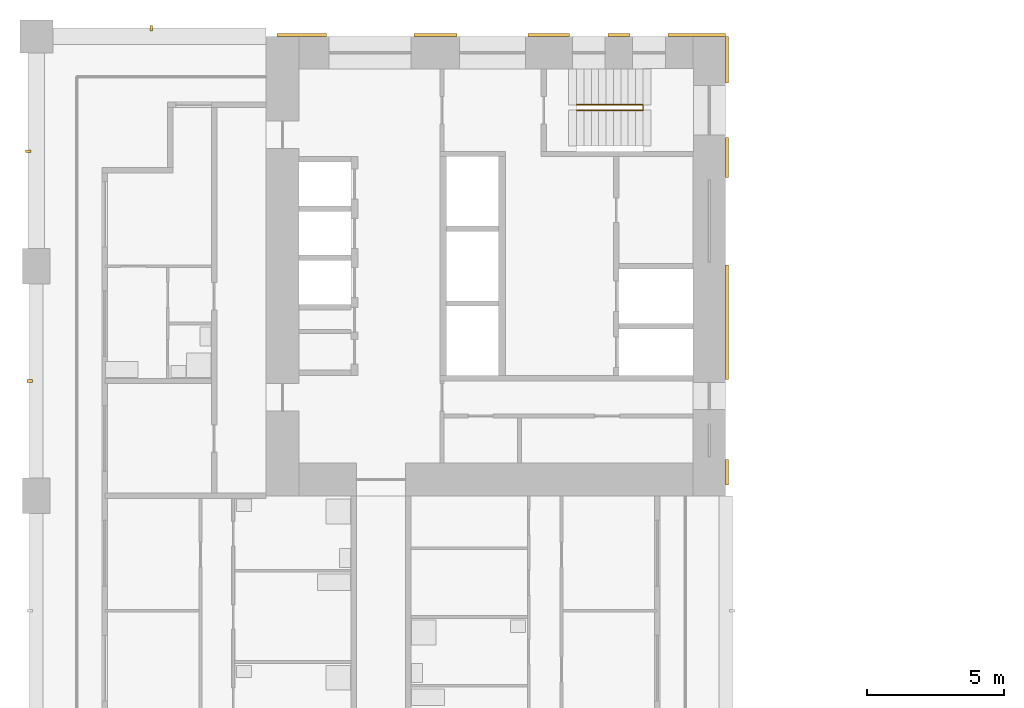
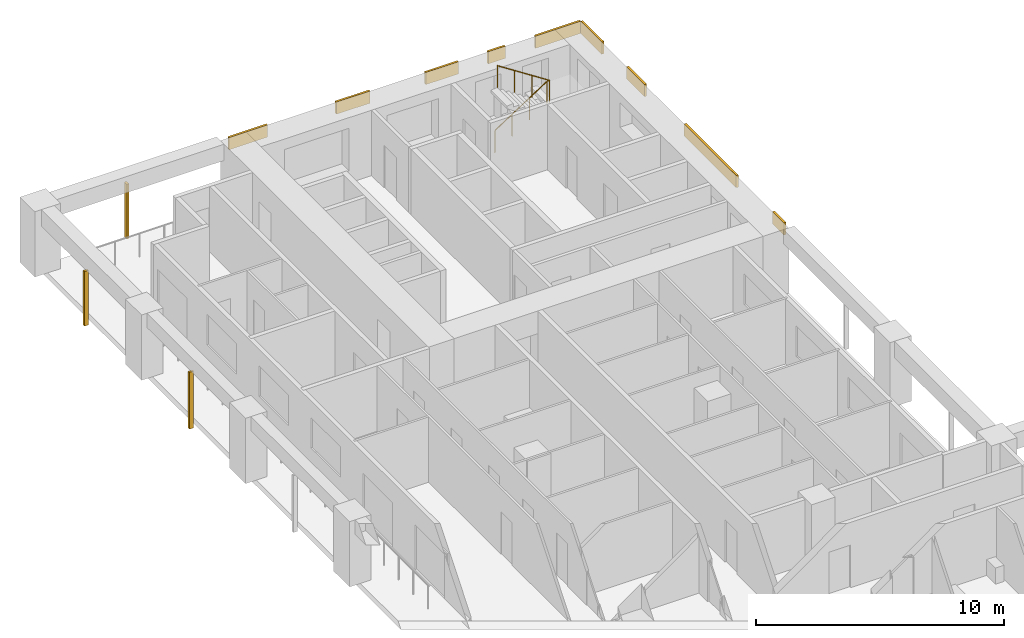
# One storey, part 14 of 16: 12 shading devices, 1 railing.
"""IFC4 building model written with IfcOpenShell, lengths in metres."""

from ifc_helpers import new_model, si_unit, direction, frame, origin, origin_2d, place, context, subcontext, project, spatial, rectangle, circle, extrude, material, layer, layer_set, material_profile, profile_set, type_object, element, save


model = new_model("IFC4")

# Units and contexts
model_context = context("Model", 3, precision=1e-05, world=origin(), true_north=direction((0.0, 1.0)))
body_context = subcontext(model_context, "Body", "Model", "MODEL_VIEW")
ifc_project = project(units=[si_unit("LENGTHUNIT", "METRE"), si_unit("AREAUNIT", "SQUARE_METRE"), si_unit("VOLUMEUNIT", "CUBIC_METRE"), si_unit("PLANEANGLEUNIT", "RADIAN"), si_unit("MASSUNIT", "GRAM", prefix="KILO")], contexts=[model_context])

# Site, building, storey
site_placement = place(None, origin())
site = spatial("IfcSite", under=ifc_project, at=site_placement, CompositionType="ELEMENT")
building_placement = place(site_placement, origin())
building = spatial("IfcBuilding", under=site, at=building_placement, Name="Vermilion Gate Residences", CompositionType="ELEMENT")
storey_placement = place(building_placement, frame((0.0, 0.0, 130.199951171875)))
storey = spatial("IfcBuildingStorey", under=building, at=storey_placement, Name="L33", CompositionType="ELEMENT", Elevation=130.199951171875)

# Railing
ifc_material_1 = material(Name="Steel S355", Category="steel")
railing_type = type_object("IfcRailingType", Name="STAIR GUARD 1100 STEEL", PredefinedType="GUARDRAIL", material=ifc_material_1)
railing_placement = place(storey_placement, frame((19.75, 56.300048828125, 0.175048828125)))
element("IfcRailing", 1, at=railing_placement, inside=storey, type_object=railing_type, Name="Stair well guard STB1-33", PredefinedType="GUARDRAIL", context=body_context, shape_type="SweptSolid", body=[
    extrude(circle(Radius=0.02392578125, at=origin_2d()), frame((0.0, 0.0, 1.076171875), z_axis=(0.839153699163, 0.0, 0.543894354798), x_axis=(0.0, 1.0, 0.0)), (0.0, 0.0, 1.0), 2.895751953125),
    extrude(circle(Radius=0.02392578125, at=origin_2d()), frame((2.429931640625, 0.0, 2.65087890625), z_axis=(0.0, -0.752405939678, 0.658699705433), x_axis=(1.0, 0.0, 0.0)), (0.0, 0.0, 1.0), 0.265869140625),
    extrude(circle(Radius=0.02392578125, at=origin_2d()), frame((2.429931640625, -0.199951171875, 2.826171875), z_axis=(-0.839153699163, 0.0, 0.543894354798), x_axis=(0.0, -1.0, 0.0)), (0.0, 0.0, 1.0), 2.895751953125),
    extrude(circle(Radius=0.02099609375, at=origin_2d()), origin(), (0.0, 0.0, 1.0), 1.052001953125),
    extrude(circle(Radius=0.02099609375, at=origin_2d()), frame((0.81005859375, 0.0, 0.52490234375)), (0.0, 0.0, 1.0), 1.052001953125),
    extrude(circle(Radius=0.02099609375, at=origin_2d()), frame((1.619873046875, 0.0, 1.050048828125)), (0.0, 0.0, 1.0), 1.052001953125),
    extrude(circle(Radius=0.02099609375, at=origin_2d()), frame((2.429931640625, 0.0, 1.574951171875)), (0.0, 0.0, 1.0), 1.052001953125),
    extrude(circle(Radius=0.02099609375, at=origin_2d()), frame((2.429931640625, -0.199951171875, 1.75)), (0.0, 0.0, 1.0), 1.052001953125),
    extrude(circle(Radius=0.02099609375, at=origin_2d()), frame((1.619873046875, -0.199951171875, 2.27490234375)), (0.0, 0.0, 1.0), 1.052001953125),
    extrude(circle(Radius=0.02099609375, at=origin_2d()), frame((0.81005859375, -0.199951171875, 2.800048828125)), (0.0, 0.0, 1.0), 1.052001953125),
    extrude(circle(Radius=0.02099609375, at=origin_2d()), frame((0.0, -0.199951171875, 3.324951171875)), (0.0, 0.0, 1.0), 1.052001953125),
])

# Shading devices
ifc_material_2 = material(Name="Extruded terracotta", Category="masonry")
ifc_material_profile = material_profile(ifc_material_2, rectangle(XDim=0.199951171875, YDim=0.10009765625, at=origin_2d()), Name="BAGUETTE 100 X 200")
ifc_profile_set = profile_set([ifc_material_profile], Name="Extruded terracotta")
shading_device_type_1 = type_object("IfcShadingDeviceType", Name="TERRACOTTA BAGUETTE 100 X 200", PredefinedType="JALOUSIE", material=ifc_profile_set)
shading_device_1_placement = place(storey_placement, frame((4.199951171875, 59.10009765625, -0.280029296875), z_axis=(0.0, 0.0, 1.0), x_axis=(0.0, -1.0, 0.0)))
element("IfcShadingDevice", 2, at=shading_device_1_placement, inside=storey, type_object=shading_device_type_1, Name="BAGUETTE", PredefinedType="JALOUSIE", context=body_context, shape_type="SweptSolid", body=[
    extrude(rectangle(XDim=0.199951171875, YDim=0.10009765625, at=origin_2d()), origin(), (0.0, 0.0, 1.0), 2.7001953125),
])
shading_device_2_placement = place(storey_placement, frame((-0.25, 46.199951171875, -0.280029296875), z_axis=(0.0, 0.0, 1.0), x_axis=(1.0, 0.0, 0.0)))
element("IfcShadingDevice", 3, at=shading_device_2_placement, inside=storey, type_object=shading_device_type_1, Name="BAGUETTE", PredefinedType="JALOUSIE", context=body_context, shape_type="SweptSolid", body=[
    extrude(rectangle(XDim=0.199951171875, YDim=0.10009765625, at=origin_2d()), origin(), (0.0, 0.0, 1.0), 2.800048828125),
])
shading_device_3_placement = place(storey_placement, frame((-0.300048828125, 54.60009765625, -0.280029296875), z_axis=(0.0, 0.0, 1.0), x_axis=(1.0, 0.0, 0.0)))
element("IfcShadingDevice", 4, at=shading_device_3_placement, inside=storey, type_object=shading_device_type_1, Name="BAGUETTE", PredefinedType="JALOUSIE", context=body_context, shape_type="SweptSolid", body=[
    extrude(rectangle(XDim=0.199951171875, YDim=0.10009765625, at=origin_2d()), origin(), (0.0, 0.0, 1.0), 2.7001953125),
])
ifc_material_3 = material(Name="Extruded terracotta", Category="masonry")
ifc_layer = layer(ifc_material_3, 0.10009765625)
ifc_layer_set = layer_set([ifc_layer], Name="TERRACOTTA SPANDREL BAND 600 X 100")
shading_device_type_2 = type_object("IfcShadingDeviceType", Name="TERRACOTTA SPANDREL BAND 600 X 100", PredefinedType="USERDEFINED", material=ifc_layer_set)
shading_device_4_placement = place(storey_placement, frame((9.702392578125, 58.85009765625, 2.6201171875), z_axis=(0.0, 0.0, 1.0), x_axis=(1.0, 0.0, 0.0)))
element("IfcShadingDevice", 5, at=shading_device_4_placement, inside=storey, type_object=shading_device_type_2, Name="SPANDREL BAND", ObjectType="BAND", PredefinedType="USERDEFINED", context=body_context, shape_type="SweptSolid", body=[
    extrude(rectangle(XDim=1.804931640625, YDim=0.10009765625, at=origin_2d()), origin(), (0.0, 0.0, 1.0), 0.60009765625),
])
shading_device_5_placement = place(storey_placement, frame((14.590087890625, 58.85009765625, 2.6201171875), z_axis=(0.0, 0.0, 1.0), x_axis=(1.0, 0.0, 0.0)))
element("IfcShadingDevice", 6, at=shading_device_5_placement, inside=storey, type_object=shading_device_type_2, Name="SPANDREL BAND", ObjectType="BAND", PredefinedType="USERDEFINED", context=body_context, shape_type="SweptSolid", body=[
    extrude(rectangle(XDim=1.570068359375, YDim=0.10009765625, at=origin_2d()), origin(), (0.0, 0.0, 1.0), 0.60009765625),
])
shading_device_6_placement = place(storey_placement, frame((18.734130859375, 58.85009765625, 2.6201171875), z_axis=(0.0, 0.0, 1.0), x_axis=(1.0, 0.0, 0.0)))
element("IfcShadingDevice", 7, at=shading_device_6_placement, inside=storey, type_object=shading_device_type_2, Name="SPANDREL BAND", ObjectType="BAND", PredefinedType="USERDEFINED", context=body_context, shape_type="SweptSolid", body=[
    extrude(rectangle(XDim=1.518310546875, YDim=0.10009765625, at=origin_2d()), origin(), (0.0, 0.0, 1.0), 0.60009765625),
])
shading_device_7_placement = place(storey_placement, frame((21.294921875, 58.85009765625, 2.6201171875), z_axis=(0.0, 0.0, 1.0), x_axis=(1.0, 0.0, 0.0)))
element("IfcShadingDevice", 8, at=shading_device_7_placement, inside=storey, type_object=shading_device_type_2, Name="SPANDREL BAND", ObjectType="BAND", PredefinedType="USERDEFINED", context=body_context, shape_type="SweptSolid", body=[
    extrude(rectangle(XDim=0.803466796875, YDim=0.10009765625, at=origin_2d()), origin(), (0.0, 0.0, 1.0), 0.60009765625),
])
shading_device_8_placement = place(storey_placement, frame((24.1484375, 58.85009765625, 2.6201171875), z_axis=(0.0, 0.0, 1.0), x_axis=(1.0, 0.0, 0.0)))
element("IfcShadingDevice", 9, at=shading_device_8_placement, inside=storey, type_object=shading_device_type_2, Name="SPANDREL BAND", ObjectType="BAND", PredefinedType="USERDEFINED", context=body_context, shape_type="SweptSolid", body=[
    extrude(rectangle(XDim=2.103271484375, YDim=0.10009765625, at=origin_2d()), origin(), (0.0, 0.0, 1.0), 0.60009765625),
])
shading_device_9_placement = place(storey_placement, frame((25.25, 42.862548828125, 2.6201171875), z_axis=(0.0, 0.0, 1.0), x_axis=(0.0, 1.0, 0.0)))
element("IfcShadingDevice", 10, at=shading_device_9_placement, inside=storey, type_object=shading_device_type_2, Name="SPANDREL BAND", ObjectType="BAND", PredefinedType="USERDEFINED", context=body_context, shape_type="SweptSolid", body=[
    extrude(rectangle(XDim=0.925048828125, YDim=0.10009765625, at=origin_2d()), origin(), (0.0, 0.0, 1.0), 0.60009765625),
])
shading_device_10_placement = place(storey_placement, frame((25.25, 48.35009765625, 2.6201171875), z_axis=(0.0, 0.0, 1.0), x_axis=(0.0, 1.0, 0.0)))
element("IfcShadingDevice", 11, at=shading_device_10_placement, inside=storey, type_object=shading_device_type_2, Name="SPANDREL BAND", ObjectType="BAND", PredefinedType="USERDEFINED", context=body_context, shape_type="SweptSolid", body=[
    extrude(rectangle(XDim=4.199951171875, YDim=0.10009765625, at=origin_2d()), origin(), (0.0, 0.0, 1.0), 0.60009765625),
])
shading_device_11_placement = place(storey_placement, frame((25.25, 54.375, 2.6201171875), z_axis=(0.0, 0.0, 1.0), x_axis=(0.0, 1.0, 0.0)))
element("IfcShadingDevice", 12, at=shading_device_11_placement, inside=storey, type_object=shading_device_type_2, Name="SPANDREL BAND", ObjectType="BAND", PredefinedType="USERDEFINED", context=body_context, shape_type="SweptSolid", body=[
    extrude(rectangle(XDim=1.449951171875, YDim=0.10009765625, at=origin_2d()), origin(), (0.0, 0.0, 1.0), 0.60009765625),
])
shading_device_12_placement = place(storey_placement, frame((25.25, 57.949951171875, 2.6201171875), z_axis=(0.0, 0.0, 1.0), x_axis=(0.0, 1.0, 0.0)))
element("IfcShadingDevice", 13, at=shading_device_12_placement, inside=storey, type_object=shading_device_type_2, Name="SPANDREL BAND", ObjectType="BAND", PredefinedType="USERDEFINED", context=body_context, shape_type="SweptSolid", body=[
    extrude(rectangle(XDim=1.699951171875, YDim=0.10009765625, at=origin_2d()), origin(), (0.0, 0.0, 1.0), 0.60009765625),
])

save(model, "model.ifc")
